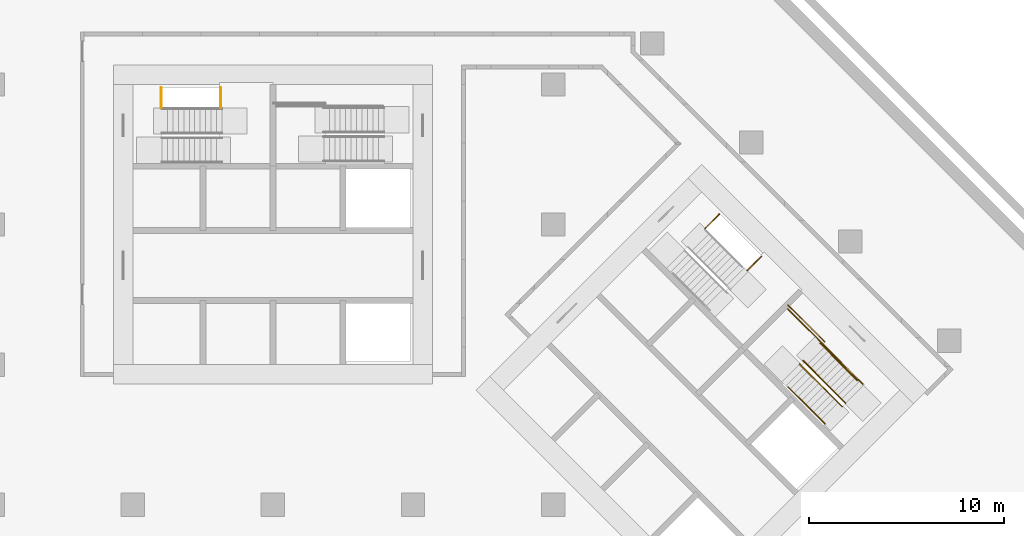
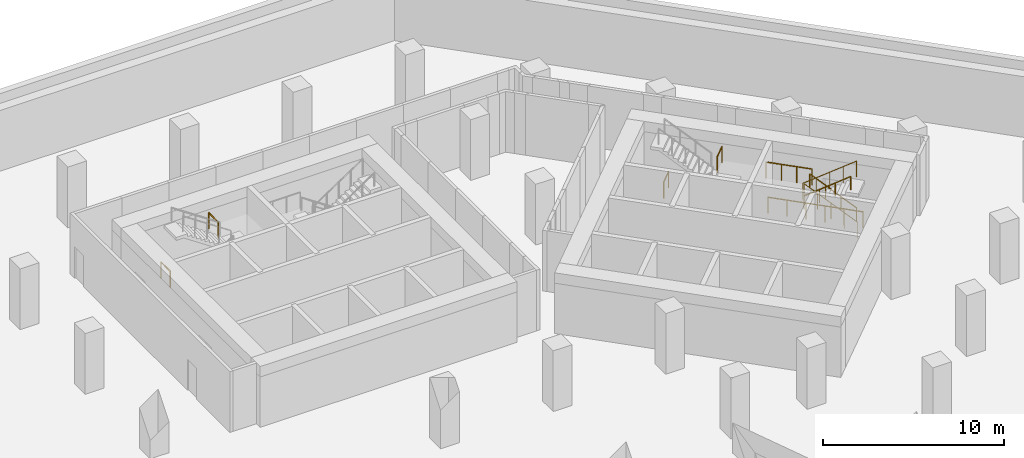
# One storey, part 11 of 11: 10 railings.
"""IFC4 building model written with IfcOpenShell, lengths in metres."""

import ifcopenshell
import ifcopenshell.guid

model = None  # the IFC model being written
_history = None  # IfcOwnerHistory: only IFC2X3 demands one
_inside = {}  # id of a spatial element -> (the spatial element, [elements in it])
_under = {}  # id of a project, library or spatial element -> (it, [spatial elements below it])
_declared = {}  # id of a project -> (the project, [libraries it declares])
_typed = {}  # id of a type object -> (the type object, [elements of that type])
_made_of = {}  # id of a material, layer set ... -> (it, [elements and type objects made of it])


def new_model(schema):
    """Start an empty IFC model of exactly this schema.

    Asked for "IFC4X3", IfcOpenShell would pick the latest addendum, in which some entities
    have other attributes; the version numbers below select the first issue.
    IFC2X3 requires an IfcOwnerHistory on every rooted entity: one is made here for all.
    """
    global model, _history
    if schema == "IFC4X3":
        model = ifcopenshell.file(schema_version=(4, 3, 0, 0))
    else:
        model = ifcopenshell.file(schema=schema)
    _inside.clear()
    _under.clear()
    _declared.clear()
    _typed.clear()
    _made_of.clear()
    _history = None
    if model.schema == "IFC2X3":
        org = make("IfcOrganization", Name="unknown")
        user = make(
            "IfcPersonAndOrganization",
            ThePerson=make("IfcPerson", FamilyName="unknown"),
            TheOrganization=org,
        )
        app = make(
            "IfcApplication",
            ApplicationDeveloper=org,
            Version="unknown",
            ApplicationFullName="unknown",
            ApplicationIdentifier="unknown",
        )
        _history = make(
            "IfcOwnerHistory",
            OwningUser=user,
            OwningApplication=app,
            ChangeAction="ADDED",
            CreationDate=0,
        )
    return model


def make(cls, **values):
    """One entity of the class cls with the attributes given. An attribute that is None is left unset."""
    return model.create_entity(
        cls, **{name: value for name, value in values.items() if value is not None}
    )


def rooted(cls, **values):
    """An entity with a GlobalId (a new one), such as an element, a storey or a relation."""
    return make(cls, GlobalId=ifcopenshell.guid.new(), OwnerHistory=_history, **values)


def si_unit(unit_type, name, prefix=None):
    """IfcSIUnit, for example si_unit("LENGTHUNIT", "METRE", prefix="MILLI")."""
    return make("IfcSIUnit", UnitType=unit_type, Prefix=prefix, Name=name)


def assignment(units):
    """IfcUnitAssignment: the units of a project."""
    return None if units is None else make("IfcUnitAssignment", Units=units)


def point(xyz):
    """IfcCartesianPoint."""
    return None if xyz is None else make("IfcCartesianPoint", Coordinates=xyz)


def direction(xyz):
    """IfcDirection."""
    return None if xyz is None else make("IfcDirection", DirectionRatios=xyz)


def frame(location, z_axis=None, x_axis=None):
    """IfcAxis2Placement3D, a coordinate frame: its origin and axes. An axis left out is left unset."""
    return make(
        "IfcAxis2Placement3D",
        Location=point(location),
        Axis=direction(z_axis),
        RefDirection=direction(x_axis),
    )


def frame_2d(location, x_axis=None):
    """IfcAxis2Placement2D, a coordinate frame in the plane: its origin and x axis."""
    return make(
        "IfcAxis2Placement2D", Location=point(location), RefDirection=direction(x_axis)
    )


def origin():
    """The frame at (0, 0, 0) with its axes left unset."""
    return frame((0.0, 0.0, 0.0))


def origin_2d():
    """The frame at (0, 0) in the plane with its x axis left unset."""
    return frame_2d((0.0, 0.0))


def place(relative_to, where):
    """IfcLocalPlacement: puts the frame where relative to a parent placement (None: the world)."""
    return make(
        "IfcLocalPlacement", PlacementRelTo=relative_to, RelativePlacement=where
    )


def context(
    kind, dimensions, precision=None, world=None, true_north=None, identifier=None
):
    """IfcGeometricRepresentationContext, for example the 3D "Model" context."""
    return make(
        "IfcGeometricRepresentationContext",
        ContextIdentifier=identifier,
        ContextType=kind,
        CoordinateSpaceDimension=dimensions,
        Precision=precision,
        WorldCoordinateSystem=world,
        TrueNorth=true_north,
    )


def subcontext(parent, identifier, kind, view, scale=None):
    """IfcGeometricRepresentationSubContext, for example "Body" below "Model"."""
    return make(
        "IfcGeometricRepresentationSubContext",
        ContextIdentifier=identifier,
        ContextType=kind,
        ParentContext=parent,
        TargetScale=scale,
        TargetView=view,
    )


def project(units=None, contexts=None):
    """IfcProject with its units and contexts."""
    return rooted(
        "IfcProject",
        Name="project",
        RepresentationContexts=contexts,
        UnitsInContext=assignment(units),
    )


def spatial(cls, under=None, at=None, **own):
    """A site, building, storey or space (cls), placed at a placement, below another one or the project."""
    s = rooted(cls, ObjectPlacement=at, **own)
    if under is not None:
        _under.setdefault(under.id(), (under, []))[1].append(s)
    return s


def profile(cls, at=None, kind="AREA", **sizes):
    """A parametric profile (cls). Its sizes go by their IFC names, for example OverallWidth=200.0."""
    return make(cls, ProfileType=kind, Position=at, **sizes)


def circle(**sizes):
    """IfcCircleProfileDef."""
    return profile("IfcCircleProfileDef", **sizes)


def extrude(swept, where, along, depth):
    """IfcExtrudedAreaSolid: the profile swept, set in the frame where, extruded along a direction by depth."""
    return make(
        "IfcExtrudedAreaSolid",
        SweptArea=swept,
        Position=where,
        ExtrudedDirection=direction(along),
        Depth=depth,
    )


def shape(context_of_items, identifier, shape_type, items):
    """IfcShapeRepresentation: the items that make up one representation, for example the "Body"."""
    return make(
        "IfcShapeRepresentation",
        ContextOfItems=context_of_items,
        RepresentationIdentifier=identifier,
        RepresentationType=shape_type,
        Items=items,
    )


def material(Name=None, Category=None):
    """IfcMaterial."""
    return make("IfcMaterial", Name=Name, Category=Category)


def made_of(thing, what):
    """Note that an element or type object is made of a material, layer set ...; save() writes the relation."""
    if what is not None:
        _made_of.setdefault(what.id(), (what, []))[1].append(thing)
    return thing


def type_object(cls, material=None, **own):
    """A type object (cls), such as IfcWallType, which elements share."""
    return made_of(rooted(cls, **own), material)


def element(
    cls,
    number,
    at=None,
    inside=None,
    cuts=None,
    type_object=None,
    material=None,
    context=None,
    identifier="Body",
    shape_type=None,
    held_by="IfcProductDefinitionShape",
    body=None,
    shapes=None,
    **own,
):
    """One element of the class cls, such as IfcWall. Its Tag is "e" and its number.

    at: its placement. inside: the storey or other place that contains it. cuts: it is an
    opening in that element (IfcRelVoidsElement). A single representation is given by context,
    identifier, shape_type and body (its items); several are given by shapes. held_by: the class
    of the entity that holds the representations. save() writes the other relations.
    """
    e = rooted(cls, Tag="e%d" % number, ObjectPlacement=at, **own)
    if body is not None:
        shapes = [shape(context, identifier, shape_type, body)]
    if shapes is not None:
        e.Representation = make(held_by, Representations=shapes)
    if inside is not None:
        _inside.setdefault(inside.id(), (inside, []))[1].append(e)
    if cuts is not None:
        rooted(
            "IfcRelVoidsElement", RelatingBuildingElement=cuts, RelatedOpeningElement=e
        )
    if type_object is not None:
        _typed.setdefault(type_object.id(), (type_object, []))[1].append(e)
    return made_of(e, material)


def aggregate(whole, parts):
    """IfcRelAggregates: a whole, such as a stair, and the parts it consists of."""
    return rooted("IfcRelAggregates", RelatingObject=whole, RelatedObjects=parts)


def save(model, path):
    """Write the relations noted so far, then the file.

    IfcRelAggregates (storeys below a building ...), IfcRelContainedInSpatialStructure (elements
    in a storey), IfcRelDefinesByType, IfcRelAssociatesMaterial and IfcRelDeclares: one each for
    every whole, place, type object, material and project.
    """
    for whole, parts in _under.values():
        aggregate(whole, parts)
    for where, things in _inside.values():
        rooted(
            "IfcRelContainedInSpatialStructure",
            RelatedElements=things,
            RelatingStructure=where,
        )
    for kind, things in _typed.values():
        rooted("IfcRelDefinesByType", RelatedObjects=things, RelatingType=kind)
    for what, things in _made_of.values():
        rooted("IfcRelAssociatesMaterial", RelatedObjects=things, RelatingMaterial=what)
    for by, libraries in _declared.values():
        rooted("IfcRelDeclares", RelatingContext=by, RelatedDefinitions=libraries)
    model.write(path)


model = new_model("IFC4")

# Units and contexts
model_context = context("Model", 3, precision=1e-05, world=origin(), true_north=direction((0.0, 1.0)))
body_context = subcontext(model_context, "Body", "Model", "MODEL_VIEW")
ifc_project = project(units=[si_unit("LENGTHUNIT", "METRE"), si_unit("AREAUNIT", "SQUARE_METRE"), si_unit("VOLUMEUNIT", "CUBIC_METRE"), si_unit("PLANEANGLEUNIT", "RADIAN"), si_unit("MASSUNIT", "GRAM", prefix="KILO")], contexts=[model_context])

# Site, building, storey
site_placement = place(None, origin())
site = spatial("IfcSite", under=ifc_project, at=site_placement, CompositionType="ELEMENT")
building_placement = place(site_placement, origin())
building = spatial("IfcBuilding", under=site, at=building_placement, Name="Windrow Commons", CompositionType="ELEMENT")
storey_placement = place(building_placement, frame((0.0, 0.0, -4.5)))
storey = spatial("IfcBuildingStorey", under=building, at=storey_placement, Name="B1", CompositionType="ELEMENT", Elevation=-4.5)

# Railings
ifc_material_1 = material(Name="Steel S355", Category="steel")
railing_type_1 = type_object("IfcRailingType", Name="Core stair guard 1100", PredefinedType="GUARDRAIL", material=ifc_material_1)
for number, where, name in (
    (1, (59.05, 63.6, 0.0), "B1 ST-A1 stair guard 3"),
    (2, (62.11, 63.6, 2.25), "B1 ST-A1 stair guard 4"),
):
    element("IfcRailing", number, at=place(storey_placement, frame(where)), inside=storey, type_object=railing_type_1, Name=name, PredefinedType="GUARDRAIL", context=body_context, shape_type="SweptSolid", body=[
        extrude(circle(Radius=0.024, at=origin_2d()), frame((0.0, 0.0, 1.076), z_axis=(0.0, 1.0, 0.0), x_axis=(-1.0, 0.0, 0.0)), (0.0, 0.0, 1.0), 1.03),
        extrude(circle(Radius=0.021, at=origin_2d()), origin(), (0.0, 0.0, 1.0), 1.052),
        extrude(circle(Radius=0.021, at=origin_2d()), frame((0.0, 1.03, 0.0)), (0.0, 0.0, 1.0), 1.052),
    ])
railing_1_placement = place(storey_placement, frame((87.0135, 57.3982, 0.0)))
element("IfcRailing", 3, at=railing_1_placement, inside=storey, type_object=railing_type_1, Name="B1 ST-B1 stair guard 3", PredefinedType="GUARDRAIL", context=body_context, shape_type="SweptSolid", body=[
    extrude(circle(Radius=0.024, at=origin_2d()), frame((0.0, 0.0, 1.076), z_axis=(0.7070582378, 0.7071553212, 0.0), x_axis=(-0.7071553212, 0.7070582378, 0.0)), (0.0, 0.0, 1.0), 1.03),
    extrude(circle(Radius=0.021, at=origin_2d()), origin(), (0.0, 0.0, 1.0), 1.052),
    extrude(circle(Radius=0.021, at=origin_2d()), frame((0.7283, 0.7284, 0.0)), (0.0, 0.0, 1.0), 1.052),
])
railing_2_placement = place(storey_placement, frame((89.1773, 55.2345, 2.25)))
element("IfcRailing", 4, at=railing_2_placement, inside=storey, type_object=railing_type_1, Name="B1 ST-B1 stair guard 4", PredefinedType="GUARDRAIL", context=body_context, shape_type="SweptSolid", body=[
    extrude(circle(Radius=0.024, at=origin_2d()), frame((0.0, 0.0, 1.076), z_axis=(0.7071067812, 0.7071067812, 0.0), x_axis=(-0.7071067812, 0.7071067812, 0.0)), (0.0, 0.0, 1.0), 1.03),
    extrude(circle(Radius=0.021, at=origin_2d()), origin(), (0.0, 0.0, 1.0), 1.052),
    extrude(circle(Radius=0.021, at=origin_2d()), frame((0.7283, 0.7283, 0.0)), (0.0, 0.0, 1.0), 1.052),
])
railing_3_placement = place(storey_placement, frame((94.2296, 48.4215, 0.1875)))
element("IfcRailing", 5, at=railing_3_placement, inside=storey, type_object=railing_type_1, Name="B1 ST-B2 stair guard 1", PredefinedType="GUARDRAIL", context=body_context, shape_type="SweptSolid", body=[
    extrude(circle(Radius=0.024, at=origin_2d()), frame((0.0, 0.0, 1.076), z_axis=(-0.5875410276, 0.5875410276, 0.5564090957), x_axis=(-0.7071067812, -0.7071067812, 0.0)), (0.0, 0.0, 1.0), 3.7068),
    extrude(circle(Radius=0.021, at=origin_2d()), origin(), (0.0, 0.0, 1.0), 1.052),
    extrude(circle(Radius=0.021, at=origin_2d()), frame((-0.5445, 0.5445, 0.5156)), (0.0, 0.0, 1.0), 1.052),
    extrude(circle(Radius=0.021, at=origin_2d()), frame((-1.089, 1.089, 1.0312)), (0.0, 0.0, 1.0), 1.052),
    extrude(circle(Radius=0.021, at=origin_2d()), frame((-1.6334, 1.6334, 1.5469)), (0.0, 0.0, 1.0), 1.052),
    extrude(circle(Radius=0.021, at=origin_2d()), frame((-2.1779, 2.1779, 2.0625)), (0.0, 0.0, 1.0), 1.052),
])
railing_4_placement = place(storey_placement, frame((91.8749, 50.4226, 2.4375)))
element("IfcRailing", 6, at=railing_4_placement, inside=storey, type_object=railing_type_1, Name="B1 ST-B2 stair guard 2", PredefinedType="GUARDRAIL", context=body_context, shape_type="SweptSolid", body=[
    extrude(circle(Radius=0.024, at=origin_2d()), frame((0.0, 0.0, 1.076), z_axis=(0.5875410276, -0.5875410276, 0.5564090957), x_axis=(0.7071067812, 0.7071067812, 0.0)), (0.0, 0.0, 1.0), 3.7068),
    extrude(circle(Radius=0.021, at=origin_2d()), origin(), (0.0, 0.0, 1.0), 1.052),
    extrude(circle(Radius=0.021, at=origin_2d()), frame((0.5445, -0.5445, 0.5156)), (0.0, 0.0, 1.0), 1.052),
    extrude(circle(Radius=0.021, at=origin_2d()), frame((1.089, -1.089, 1.0312)), (0.0, 0.0, 1.0), 1.052),
    extrude(circle(Radius=0.021, at=origin_2d()), frame((1.6334, -1.6334, 1.5469)), (0.0, 0.0, 1.0), 1.052),
    extrude(circle(Radius=0.021, at=origin_2d()), frame((2.1779, -2.1779, 2.0625)), (0.0, 0.0, 1.0), 1.052),
])
railing_5_placement = place(storey_placement, frame((95.1276, 49.3903, 0.0)))
element("IfcRailing", 7, at=railing_5_placement, inside=storey, type_object=railing_type_1, Name="B1 ST-B2 stair guard 3", PredefinedType="GUARDRAIL", context=body_context, shape_type="SweptSolid", body=[
    extrude(circle(Radius=0.024, at=origin_2d()), frame((0.0, 0.0, 1.076), z_axis=(-0.7071159554, 0.7070976069, 0.0), x_axis=(-0.7070976069, -0.7071159554, 0.0)), (0.0, 0.0, 1.0), 5.45),
    extrude(circle(Radius=0.021, at=origin_2d()), origin(), (0.0, 0.0, 1.0), 1.052),
    extrude(circle(Radius=0.021, at=origin_2d()), frame((-0.7708, 0.7707, 0.0)), (0.0, 0.0, 1.0), 1.052),
    extrude(circle(Radius=0.021, at=origin_2d()), frame((-1.5415, 1.5415, 0.0)), (0.0, 0.0, 1.0), 1.052),
    extrude(circle(Radius=0.021, at=origin_2d()), frame((-2.3123, 2.3122, 0.0)), (0.0, 0.0, 1.0), 1.052),
    extrude(circle(Radius=0.021, at=origin_2d()), frame((-3.083, 3.083, 0.0)), (0.0, 0.0, 1.0), 1.052),
    extrude(circle(Radius=0.021, at=origin_2d()), frame((-3.8538, 3.8537, 0.0)), (0.0, 0.0, 1.0), 1.052),
])
railing_6_placement = place(storey_placement, frame((93.1406, 51.5894, 2.25)))
element("IfcRailing", 8, at=railing_6_placement, inside=storey, type_object=railing_type_1, Name="B1 ST-B2 stair guard 4", PredefinedType="GUARDRAIL", context=body_context, shape_type="SweptSolid", body=[
    extrude(circle(Radius=0.024, at=origin_2d()), frame((0.0, 0.0, 1.076), z_axis=(-0.7071257204, 0.7070878414, 0.0), x_axis=(-0.7070878414, -0.7071257204, 0.0)), (0.0, 0.0, 1.0), 2.64),
    extrude(circle(Radius=0.021, at=origin_2d()), origin(), (0.0, 0.0, 1.0), 1.052),
    extrude(circle(Radius=0.021, at=origin_2d()), frame((-0.6223, 0.6222, 0.0)), (0.0, 0.0, 1.0), 1.052),
    extrude(circle(Radius=0.021, at=origin_2d()), frame((-1.2445, 1.2445, 0.0)), (0.0, 0.0, 1.0), 1.052),
    extrude(circle(Radius=0.021, at=origin_2d()), frame((-1.8668, 1.8667, 0.0)), (0.0, 0.0, 1.0), 1.052),
])
ifc_material_2 = material(Name="Steel S355", Category="steel")
railing_type_2 = type_object("IfcRailingType", Name="Core stair handrail 900", PredefinedType="HANDRAIL", material=ifc_material_2)
railing_7_placement = place(storey_placement, frame((94.8306, 49.5883, 0.4554)))
element("IfcRailing", 9, at=railing_7_placement, inside=storey, type_object=railing_type_2, Name="B1 ST-B2 stair handrail 1", PredefinedType="HANDRAIL", context=body_context, shape_type="SweptSolid", body=[
    extrude(circle(Radius=0.024, at=origin_2d()), frame((0.0, 0.0, 0.876), z_axis=(-0.5875603124, 0.5875293083, 0.5564011064), x_axis=(-0.7070881243, -0.7071254376, 0.0)), (0.0, 0.0, 1.0), 3.2254),
    extrude(circle(Radius=0.021, at=origin_2d()), origin(), (0.0, 0.0, 1.0), 0.852),
    extrude(circle(Radius=0.021, at=origin_2d()), frame((-0.6317, 0.6317, 0.5982)), (0.0, 0.0, 1.0), 0.852),
    extrude(circle(Radius=0.021, at=origin_2d()), frame((-1.2634, 1.2633, 1.1964)), (0.0, 0.0, 1.0), 0.852),
    extrude(circle(Radius=0.021, at=origin_2d()), frame((-1.8951, 1.895, 1.7946)), (0.0, 0.0, 1.0), 0.852),
])
railing_8_placement = place(storey_placement, frame((91.2738, 49.2559, 2.7054)))
element("IfcRailing", 10, at=railing_8_placement, inside=storey, type_object=railing_type_2, Name="B1 ST-B2 stair handrail 2", PredefinedType="HANDRAIL", context=body_context, shape_type="SweptSolid", body=[
    extrude(circle(Radius=0.024, at=origin_2d()), frame((0.0, 0.0, 0.876), z_axis=(0.5875603124, -0.5875293083, 0.5564011064), x_axis=(0.7070881243, 0.7071254376, 0.0)), (0.0, 0.0, 1.0), 3.2254),
    extrude(circle(Radius=0.021, at=origin_2d()), origin(), (0.0, 0.0, 1.0), 0.852),
    extrude(circle(Radius=0.021, at=origin_2d()), frame((0.6317, -0.6317, 0.5982)), (0.0, 0.0, 1.0), 0.852),
    extrude(circle(Radius=0.021, at=origin_2d()), frame((1.2634, -1.2633, 1.1964)), (0.0, 0.0, 1.0), 0.852),
    extrude(circle(Radius=0.021, at=origin_2d()), frame((1.8951, -1.895, 1.7946)), (0.0, 0.0, 1.0), 0.852),
])

save(model, "model.ifc")
